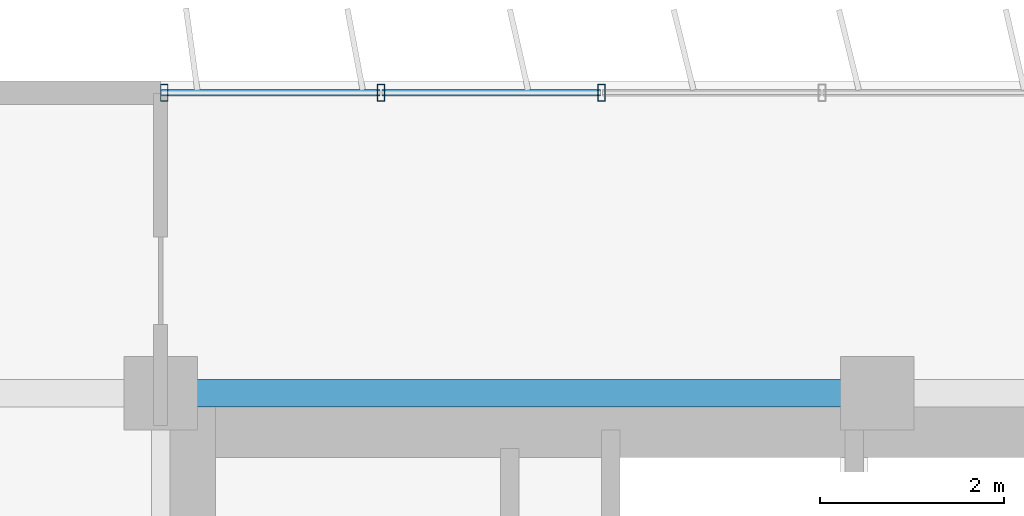
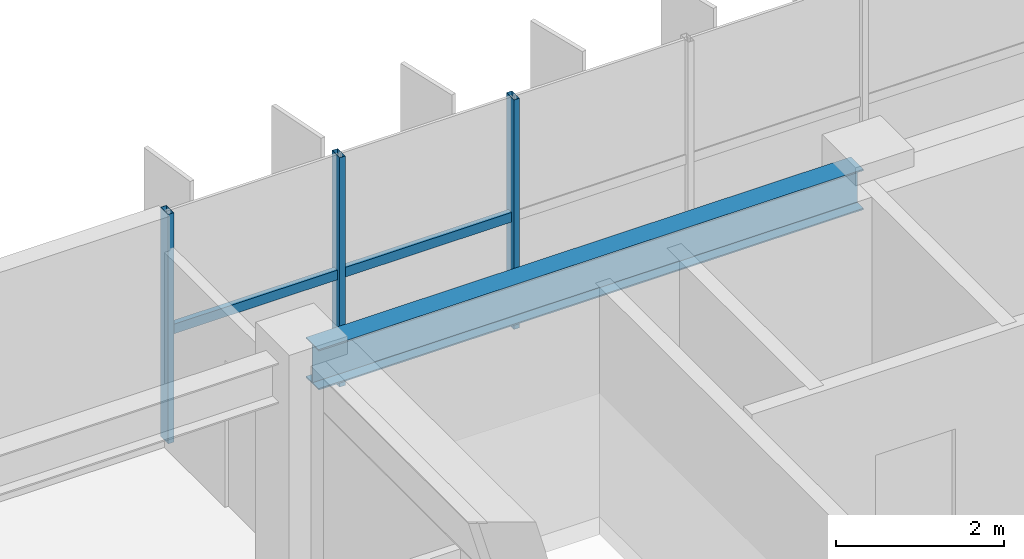
# One storey, part 5 of 22: 5 members, 1 beam, 1 element without a shape of its own.
"""IFC4 building model written with IfcOpenShell, lengths in metres."""

from ifc_helpers import new_model, si_unit, direction, frame, origin, origin_2d, place, context, subcontext, project, spatial, hollow_rectangle, i_section, extrude, source, transform, mapped, material, material_profile, profile_set, type_object, element, aggregate, save


model = new_model("IFC4")

# Units and contexts
model_context = context("Model", 3, precision=1e-05, world=origin(), true_north=direction((0.0, 1.0)))
body_context = subcontext(model_context, "Body", "Model", "MODEL_VIEW")
ifc_project = project(units=[si_unit("LENGTHUNIT", "METRE"), si_unit("AREAUNIT", "SQUARE_METRE"), si_unit("VOLUMEUNIT", "CUBIC_METRE"), si_unit("PLANEANGLEUNIT", "RADIAN"), si_unit("MASSUNIT", "GRAM", prefix="KILO")], contexts=[model_context])

# Site, building, storey
site_placement = place(None, origin())
site = spatial("IfcSite", under=ifc_project, at=site_placement, CompositionType="ELEMENT")
building_placement = place(site_placement, origin())
building = spatial("IfcBuilding", under=site, at=building_placement, Name="Trelvane Seafront Commons", CompositionType="ELEMENT")
storey_placement = place(building_placement, frame((0.0, 0.0, 88.89990234375)))
storey = spatial("IfcBuildingStorey", under=building, at=storey_placement, Name="L22", CompositionType="ELEMENT", Elevation=88.89990234375)

# Beam
ifc_material_1 = material(Name="Steel SM355 (S355)", Category="steel")
ifc_material_profile_1 = material_profile(ifc_material_1, i_section(OverallWidth=0.300048828125, OverallDepth=0.587890625, WebThickness=0.011962890625, FlangeThickness=0.02001953125, at=origin_2d()), Name="H-588x300x12x20")
ifc_profile_set_1 = profile_set([ifc_material_profile_1], Name="Steel SM355 (S355)")
beam_type = type_object("IfcBeamType", Name="STR-BM-H588", PredefinedType="BEAM", material=ifc_profile_set_1)
shared_shape_1 = source(origin(), body_context, "Body", "SweptSolid", [
    extrude(i_section(OverallWidth=0.300048828125, OverallDepth=0.587890625, WebThickness=0.011962890625, FlangeThickness=0.02001953125, at=origin_2d()), origin(), (0.0, 0.0, 1.0), 7.5),
])
beam_placement = place(storey_placement, frame((15.75, 45.10009765625, 3.046142578125), z_axis=(1.0, 0.0, 0.0), x_axis=(0.0, 1.0, 0.0)))
element("IfcBeam", 1, at=beam_placement, inside=storey, type_object=beam_type, Name="L22 Primary Girder G-30", PredefinedType="BEAM", context=body_context, shape_type="MappedRepresentation", body=[
    mapped(shared_shape_1, transform((0.0, 0.0, 0.0), x_axis=(1.0, 0.0, 0.0), y_axis=(0.0, 1.0, 0.0), z_axis=(0.0, 0.0, 1.0), scale=1.0)),
])

# Curtain wall, members
ifc_material_2 = material(Name="Anodised pale-silver aluminium", Category="aluminium")
curtain_wall_type = type_object("IfcCurtainWallType", Name="ARCH-CW4-SKYLOBBY", PredefinedType="NOTDEFINED", material=ifc_material_2)
curtain_wall_placement = place(storey_placement, origin())
curtain_wall = element("IfcCurtainWall", 2, at=curtain_wall_placement, inside=storey, type_object=curtain_wall_type, Name="CW-L22-0047", PredefinedType="NOTDEFINED")
ifc_material_profile_2 = material_profile(ifc_material_2, hollow_rectangle(XDim=0.074951171875, YDim=0.139892578125, WallThickness=0.00390625, at=origin_2d()), Name="TRAN-75x140x4")
ifc_profile_set_2 = profile_set([ifc_material_profile_2], Name="Anodised pale-silver aluminium")
member_type_1 = type_object("IfcMemberType", Name="ARCH-CW-TRAN-140", PredefinedType="USERDEFINED", material=ifc_profile_set_2)
shared_shape_2 = source(origin(), body_context, "Body", "SweptSolid", [
    extrude(hollow_rectangle(XDim=0.074951171875, YDim=0.139892578125, WallThickness=0.00390625, at=origin_2d()), origin(), (0.0, 0.0, 1.0), 2.3759765625),
])
member_1_placement = place(storey_placement, frame((15.612060546875, 48.3701171875, 1.60302734375), z_axis=(1.0, 0.0, 0.0), x_axis=(0.0, 1.0, 0.0)))
member_1 = element("IfcMember", 3, at=member_1_placement, type_object=member_type_1, Name="CW-L22-0047-T00", ObjectType="TRANSOM", PredefinedType="USERDEFINED", context=body_context, shape_type="MappedRepresentation", body=[
    mapped(shared_shape_2, transform((0.0, 0.0, 0.0), x_axis=(1.0, 0.0, 0.0), y_axis=(0.0, 1.0, 0.0), z_axis=(0.0, 0.0, 1.0), scale=1.0)),
])
member_2_placement = place(storey_placement, frame((18.011962890625, 48.3701171875, 1.60302734375), z_axis=(1.0, 0.0, 0.0), x_axis=(0.0, 1.0, 0.0)))
member_2 = element("IfcMember", 4, at=member_2_placement, type_object=member_type_1, Name="CW-L22-0047-T01", ObjectType="TRANSOM", PredefinedType="USERDEFINED", context=body_context, shape_type="MappedRepresentation", body=[
    mapped(shared_shape_2, transform((0.0, 0.0, 0.0), x_axis=(1.0, 0.0, 0.0), y_axis=(0.0, 1.0, 0.0), z_axis=(0.0, 0.0, 1.0), scale=1.0)),
])
ifc_material_profile_3 = material_profile(ifc_material_2, hollow_rectangle(XDim=0.080078125, YDim=0.179931640625, WallThickness=0.00439453125, at=origin_2d()), Name="MULL-80x180x4.5")
ifc_profile_set_3 = profile_set([ifc_material_profile_3], Name="Anodised pale-silver aluminium")
member_type_2 = type_object("IfcMemberType", Name="ARCH-CW-MULL-180", PredefinedType="MULLION", material=ifc_profile_set_3)
shared_shape_3 = source(origin(), body_context, "Body", "SweptSolid", [
    extrude(hollow_rectangle(XDim=0.080078125, YDim=0.179931640625, WallThickness=0.00439453125, at=origin_2d()), origin(), (0.0, 0.0, 1.0), 3.340087890625),
])
member_3_placement = place(storey_placement, frame((15.639892578125, 48.3701171875, 0.0), z_axis=(0.0, 0.0, 1.0), x_axis=(1.0, 0.0, 0.0)))
member_3 = element("IfcMember", 5, at=member_3_placement, type_object=member_type_2, Name="CW-L22-0047-M00", PredefinedType="MULLION", context=body_context, shape_type="MappedRepresentation", body=[
    mapped(shared_shape_3, transform((0.0, 0.0, 0.0), x_axis=(1.0, 0.0, 0.0), y_axis=(0.0, 1.0, 0.0), z_axis=(0.0, 0.0, 1.0), scale=1.0)),
])
member_4_placement = place(storey_placement, frame((18.0, 48.3701171875, 0.0), z_axis=(0.0, 0.0, 1.0), x_axis=(1.0, 0.0, 0.0)))
member_4 = element("IfcMember", 6, at=member_4_placement, type_object=member_type_2, Name="CW-L22-0047-M01", PredefinedType="MULLION", context=body_context, shape_type="MappedRepresentation", body=[
    mapped(shared_shape_3, transform((0.0, 0.0, 0.0), x_axis=(1.0, 0.0, 0.0), y_axis=(0.0, 1.0, 0.0), z_axis=(0.0, 0.0, 1.0), scale=1.0)),
])
member_5_placement = place(storey_placement, frame((20.39990234375, 48.3701171875, 0.0), z_axis=(0.0, 0.0, 1.0), x_axis=(1.0, 0.0, 0.0)))
member_5 = element("IfcMember", 7, at=member_5_placement, type_object=member_type_2, Name="CW-L22-0047-M02", PredefinedType="MULLION", context=body_context, shape_type="MappedRepresentation", body=[
    mapped(shared_shape_3, transform((0.0, 0.0, 0.0), x_axis=(1.0, 0.0, 0.0), y_axis=(0.0, 1.0, 0.0), z_axis=(0.0, 0.0, 1.0), scale=1.0)),
])
aggregate(curtain_wall, [member_3, member_4, member_5, member_1, member_2])

save(model, "model.ifc")
